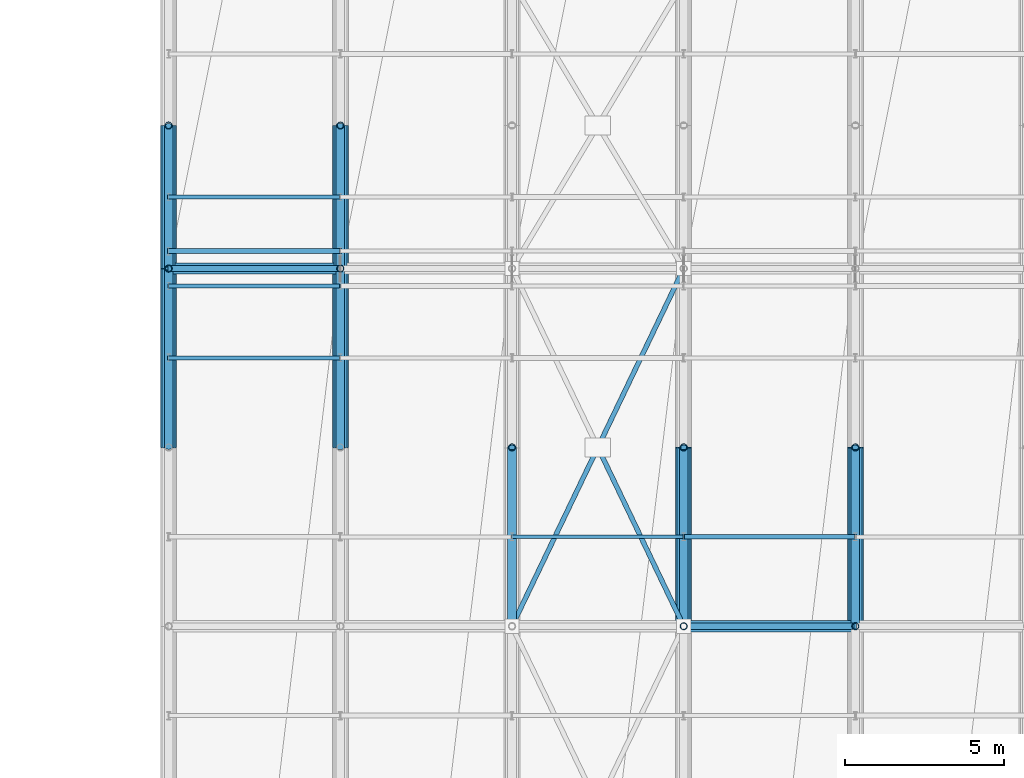
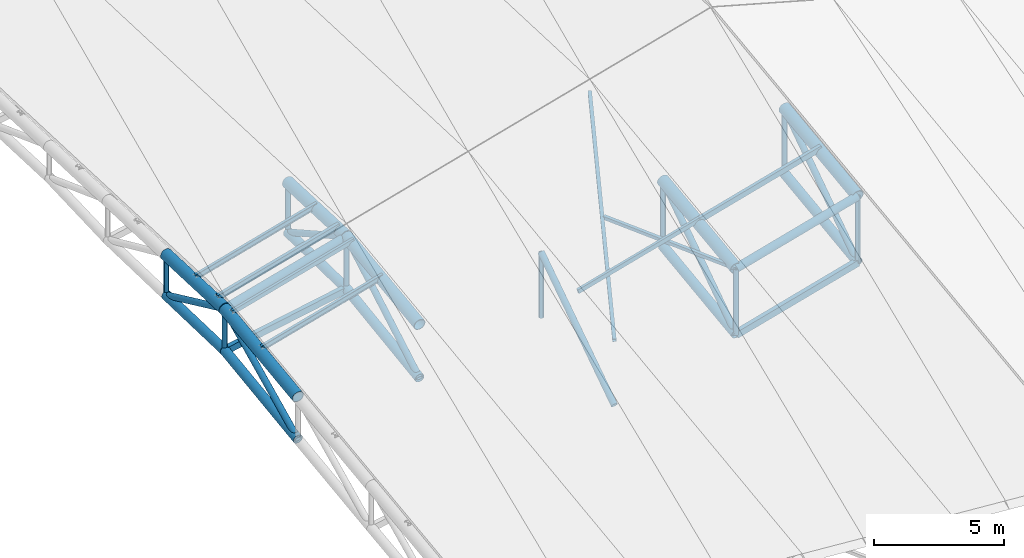
# One storey, part 12 of 109: 28 members, 12 beams.
"""IFC4 building model written with IfcOpenShell, lengths in metres."""

from ifc_helpers import new_model, si_unit, direction, frame, origin, origin_2d, place, context, subcontext, project, spatial, hollow_rectangle, hollow_circle, i_section, extrude, material, material_profile, profile_set, type_object, element, save


model = new_model("IFC4")

# Units and contexts
model_context = context("Model", 3, precision=1e-05, world=origin(), true_north=direction((0.0, 1.0)))
body_context = subcontext(model_context, "Body", "Model", "MODEL_VIEW")
ifc_project = project(units=[si_unit("LENGTHUNIT", "METRE"), si_unit("AREAUNIT", "SQUARE_METRE"), si_unit("VOLUMEUNIT", "CUBIC_METRE"), si_unit("PLANEANGLEUNIT", "RADIAN"), si_unit("MASSUNIT", "GRAM", prefix="KILO")], contexts=[model_context])

# Site, building, storey
site_placement = place(None, origin())
site = spatial("IfcSite", under=ifc_project, at=site_placement, CompositionType="ELEMENT")
building_placement = place(site_placement, origin())
building = spatial("IfcBuilding", under=site, at=building_placement, Name="Suirenkawa Promenade Aquatics Centre", CompositionType="ELEMENT")
storey_placement = place(building_placement, frame((0.0, 0.0, 22.800048828125)))
storey = spatial("IfcBuildingStorey", under=building, at=storey_placement, Name="ROOF", CompositionType="ELEMENT", Elevation=22.800048828125)

# Beams
ifc_material = material(Name="Steel IS 2062 E350 (Grade 350)", Category="steel")
ifc_material_profile_1 = material_profile(ifc_material, hollow_circle(Radius=0.202880859375, WallThickness=0.01806640625, at=origin_2d()), Name="CHS 406x18", Category="steel")
ifc_profile_set_1 = profile_set([ifc_material_profile_1], Name="Steel IS 2062 E350 (Grade 350)")
beam_type_1 = type_object("IfcBeamType", Name="BT-BC-CHS406", PredefinedType="BEAM", material=ifc_profile_set_1)
beam_1_placement = place(storey_placement, frame((46.800048828125, 89.77490234375, -11.9140625), z_axis=(0.0, 0.991040964108, 0.133558254929), x_axis=(-1.0, 0.0, 0.0)))
element("IfcBeam", 1, at=beam_1_placement, inside=storey, type_object=beam_type_1, Name="ROOF TRUSS V1 bottom chord BC-01 BM-1822", PredefinedType="BEAM", context=body_context, shape_type="SweptSolid", body=[
    extrude(hollow_circle(Radius=0.202880859375, WallThickness=0.01806640625, at=origin_2d()), origin(), (0.0, 0.0, 1.0), 5.67578125),
])
beam_2_placement = place(storey_placement, frame((46.800048828125, 95.39990234375, -11.156005859375), z_axis=(0.0, 0.999550238504, -0.029988676318), x_axis=(-1.0, 0.0, 0.0)))
element("IfcBeam", 2, at=beam_2_placement, inside=storey, type_object=beam_type_1, Name="ROOF TRUSS V1 bottom chord BC-01 BM-1824", PredefinedType="BEAM", context=body_context, shape_type="SweptSolid", body=[
    extrude(hollow_circle(Radius=0.202880859375, WallThickness=0.01806640625, at=origin_2d()), origin(), (0.0, 0.0, 1.0), 4.501953125),
])
beam_3_placement = place(storey_placement, frame((52.199951171875, 89.77490234375, -10.93408203125), z_axis=(0.0, 0.990209108988, 0.139591978559), x_axis=(-1.0, 0.0, 0.0)))
element("IfcBeam", 3, at=beam_3_placement, inside=storey, type_object=beam_type_1, Name="ROOF TRUSS V1 bottom chord BC-01 BM-1850", PredefinedType="BEAM", context=body_context, shape_type="SweptSolid", body=[
    extrude(hollow_circle(Radius=0.202880859375, WallThickness=0.01806640625, at=origin_2d()), origin(), (0.0, 0.0, 1.0), 5.6806640625),
])
beam_4_placement = place(storey_placement, frame((52.199951171875, 95.39990234375, -10.14111328125), z_axis=(0.0, 0.99981353231, -0.01931063463), x_axis=(-1.0, 0.0, 0.0)))
element("IfcBeam", 4, at=beam_4_placement, inside=storey, type_object=beam_type_1, Name="ROOF TRUSS V1 bottom chord BC-01 BM-1852", PredefinedType="BEAM", context=body_context, shape_type="SweptSolid", body=[
    extrude(hollow_circle(Radius=0.202880859375, WallThickness=0.01806640625, at=origin_2d()), origin(), (0.0, 0.0, 1.0), 4.500732421875),
])
for number, where, z_axis, x_axis, name in (
    (5, (63.0, 84.14990234375, -9.241943359375), (0.0, 0.991573992333, 0.129541567575), (-1.0, 0.0, 0.0), "ROOF TRUSS V1 bottom chord BC-01 BM-1904"),
    (6, (68.39990234375, 84.14990234375, -7.741943359375), (0.0, 0.991573992333, 0.129541567575), (-1.0, 0.0, 0.0), "ROOF TRUSS V1 bottom chord BC-01 BM-1932"),
):
    element("IfcBeam", number, at=place(storey_placement, frame(where, z_axis=z_axis, x_axis=x_axis)), inside=storey, type_object=beam_type_1, Name=name, PredefinedType="BEAM", context=body_context, shape_type="SweptSolid", body=[
        extrude(hollow_circle(Radius=0.202880859375, WallThickness=0.01806640625, at=origin_2d()), origin(), (0.0, 0.0, 1.0), 5.6728515625),
    ])
ifc_material_profile_2 = material_profile(ifc_material, hollow_circle(Radius=0.25390625, WallThickness=0.02392578125, at=origin_2d()), Name="CHS 508x24", Category="steel")
ifc_profile_set_2 = profile_set([ifc_material_profile_2], Name="Steel IS 2062 E350 (Grade 350)")
beam_type_2 = type_object("IfcBeamType", Name="BT-TC-CHS508", PredefinedType="BEAM", material=ifc_profile_set_2)
beam_5_placement = place(storey_placement, frame((46.800048828125, 89.77490234375, -9.925048828125), z_axis=(0.0, 0.991793720609, 0.127848409297), x_axis=(-1.0, 0.0, 0.0)))
element("IfcBeam", 7, at=beam_5_placement, inside=storey, type_object=beam_type_2, Name="ROOF TRUSS V1 top chord TC-02 BM-1821", PredefinedType="BEAM", context=body_context, shape_type="SweptSolid", body=[
    extrude(hollow_circle(Radius=0.25390625, WallThickness=0.02392578125, at=origin_2d()), origin(), (0.0, 0.0, 1.0), 5.671630859375),
])
beam_6_placement = place(storey_placement, frame((46.800048828125, 95.39990234375, -9.199951171875), z_axis=(0.0, 0.999173184279, -0.040656460949), x_axis=(-1.0, 0.0, 0.0)))
element("IfcBeam", 8, at=beam_6_placement, inside=storey, type_object=beam_type_2, Name="ROOF TRUSS V1 top chord TC-02 BM-1823", PredefinedType="BEAM", context=body_context, shape_type="SweptSolid", body=[
    extrude(hollow_circle(Radius=0.25390625, WallThickness=0.02392578125, at=origin_2d()), origin(), (0.0, 0.0, 1.0), 4.503662109375),
])
beam_7_placement = place(storey_placement, frame((52.199951171875, 89.77490234375, -8.425048828125), z_axis=(0.0, 0.991793720609, 0.127848409297), x_axis=(-1.0, 0.0, 0.0)))
element("IfcBeam", 9, at=beam_7_placement, inside=storey, type_object=beam_type_2, Name="ROOF TRUSS V1 top chord TC-02 BM-1849", PredefinedType="BEAM", context=body_context, shape_type="SweptSolid", body=[
    extrude(hollow_circle(Radius=0.25390625, WallThickness=0.02392578125, at=origin_2d()), origin(), (0.0, 0.0, 1.0), 5.671630859375),
])
beam_8_placement = place(storey_placement, frame((52.199951171875, 95.39990234375, -7.699951171875), z_axis=(0.0, 0.999173184279, -0.040656460949), x_axis=(-1.0, 0.0, 0.0)))
element("IfcBeam", 10, at=beam_8_placement, inside=storey, type_object=beam_type_2, Name="ROOF TRUSS V1 top chord TC-02 BM-1851", PredefinedType="BEAM", context=body_context, shape_type="SweptSolid", body=[
    extrude(hollow_circle(Radius=0.25390625, WallThickness=0.02392578125, at=origin_2d()), origin(), (0.0, 0.0, 1.0), 4.503662109375),
])
for number, where, z_axis, x_axis, name in (
    (11, (63.0, 84.14990234375, -6.150146484375), (0.0, 0.991793720609, 0.127848409297), (-1.0, 0.0, 0.0), "ROOF TRUSS V1 top chord TC-02 BM-1903"),
    (12, (68.39990234375, 84.14990234375, -4.650146484375), (0.0, 0.991793720609, 0.127848409297), (-1.0, 0.0, 0.0), "ROOF TRUSS V1 top chord TC-02 BM-1931"),
):
    element("IfcBeam", number, at=place(storey_placement, frame(where, z_axis=z_axis, x_axis=x_axis)), inside=storey, type_object=beam_type_2, Name=name, PredefinedType="BEAM", context=body_context, shape_type="SweptSolid", body=[
        extrude(hollow_circle(Radius=0.25390625, WallThickness=0.02392578125, at=origin_2d()), origin(), (0.0, 0.0, 1.0), 5.671630859375),
    ])

# Members
ifc_material_profile_3 = material_profile(ifc_material, hollow_rectangle(XDim=0.14990234375, YDim=0.14990234375, WallThickness=0.008056640625, at=origin_2d()), Name="SHS 150x150x8", Category="steel")
ifc_profile_set_3 = profile_set([ifc_material_profile_3], Name="Steel IS 2062 E350 (Grade 350)")
member_type_1 = type_object("IfcMemberType", Name="MT-BRACE-SHS150", PredefinedType="BRACE", material=ifc_profile_set_3)
member_1_placement = place(storey_placement, frame((57.60009765625, 84.14990234375, -7.650146484375), z_axis=(0.421116105711, 0.877341086497, 0.230073560964), x_axis=(-0.901526110403, 0.432724707246, 0.0)))
element("IfcMember", 13, at=member_1_placement, inside=storey, type_object=member_type_1, Name="ROOF TRUSS V1 continuous plan brace BF-02 MB-0932", PredefinedType="BRACE", context=body_context, shape_type="SweptSolid", body=[
    extrude(hollow_rectangle(XDim=0.14990234375, YDim=0.14990234375, WallThickness=0.008056640625, at=origin_2d()), origin(), (0.0, 0.0, 1.0), 12.82275390625),
])
member_2_placement = place(storey_placement, frame((63.0, 84.14990234375, -6.150146484375), z_axis=(-0.432727524929, 0.901515676935, -0.004046406999), x_axis=(-0.901523057468, -0.432731067585, 0.0)))
element("IfcMember", 14, at=member_2_placement, inside=storey, type_object=member_type_1, Name="ROOF TRUSS V1 split plan brace A BF-02 MB-0933", PredefinedType="BRACE", context=body_context, shape_type="SweptSolid", body=[
    extrude(hollow_rectangle(XDim=0.14990234375, YDim=0.14990234375, WallThickness=0.008056640625, at=origin_2d()), origin(), (0.0, 0.0, 1.0), 6.154296875),
])
ifc_material_profile_4 = material_profile(ifc_material, hollow_circle(Radius=0.177978515625, WallThickness=0.01611328125, at=origin_2d()), Name="CHS 356x16", Category="steel")
ifc_profile_set_4 = profile_set([ifc_material_profile_4], Name="Steel IS 2062 E350 (Grade 350)")
member_type_2 = type_object("IfcMemberType", Name="MT-CHORD-CHS356", PredefinedType="CHORD", material=ifc_profile_set_4)
for number, where, z_axis, x_axis, name in (
    (15, (63.0, 84.14990234375, -6.150146484375), (0.963516661409, 0.0, 0.267648357342), (0.0, 1.0, 0.0), "ROOF TRUSS V1 tie chord CH-02 MB-0774"),
    (16, (46.800048828125, 95.39990234375, -9.199951171875), (0.963516661409, 0.0, 0.267648357342), (0.0, 1.0, 0.0), "ROOF TRUSS V1 tie chord CH-02 MB-0808"),
):
    element("IfcMember", number, at=place(storey_placement, frame(where, z_axis=z_axis, x_axis=x_axis)), inside=storey, type_object=member_type_2, Name=name, PredefinedType="CHORD", context=body_context, shape_type="SweptSolid", body=[
        extrude(hollow_circle(Radius=0.177978515625, WallThickness=0.01611328125, at=origin_2d()), origin(), (0.0, 0.0, 1.0), 5.604248046875),
    ])
ifc_material_profile_5 = material_profile(ifc_material, hollow_rectangle(XDim=0.199951171875, YDim=0.300048828125, WallThickness=0.011962890625, at=origin_2d()), Name="RHS 300x200x12", Category="steel")
ifc_profile_set_5 = profile_set([ifc_material_profile_5], Name="Steel IS 2062 E350 (Grade 350)")
member_type_3 = type_object("IfcMemberType", Name="MT-CHORD-RHS300", PredefinedType="CHORD", material=ifc_profile_set_5)
member_3_placement = place(storey_placement, frame((63.0, 84.14990234375, -9.241943359375), z_axis=(0.963516661409, 0.0, 0.267648357342), x_axis=(0.0, 1.0, 0.0)))
element("IfcMember", 17, at=member_3_placement, inside=storey, type_object=member_type_3, Name="ROOF TRUSS V1 bottom tie CH-03 MB-0775", PredefinedType="CHORD", context=body_context, shape_type="SweptSolid", body=[
    extrude(hollow_rectangle(XDim=0.199951171875, YDim=0.300048828125, WallThickness=0.011962890625, at=origin_2d()), origin(), (0.0, 0.0, 1.0), 5.604248046875),
])
member_4_placement = place(storey_placement, frame((46.800048828125, 95.39990234375, -11.156005859375), z_axis=(0.982792617243, 0.0, 0.18471240211), x_axis=(0.0, 1.0, 0.0)))
element("IfcMember", 18, at=member_4_placement, inside=storey, type_object=member_type_3, Name="ROOF TRUSS V1 bottom tie CH-03 MB-0809", PredefinedType="CHORD", context=body_context, shape_type="SweptSolid", body=[
    extrude(hollow_rectangle(XDim=0.199951171875, YDim=0.300048828125, WallThickness=0.011962890625, at=origin_2d()), origin(), (0.0, 0.0, 1.0), 5.494384765625),
])
ifc_material_profile_6 = material_profile(ifc_material, i_section(OverallWidth=0.125, OverallDepth=0.25, WebThickness=0.007080078125, FlangeThickness=0.012939453125, at=origin_2d()), Name="ISMB 250", Category="steel")
ifc_profile_set_6 = profile_set([ifc_material_profile_6], Name="Steel IS 2062 E350 (Grade 350)")
member_type_4 = type_object("IfcMemberType", Name="MT-PURLIN-ISMB250", PredefinedType="PURLIN", material=ifc_profile_set_6)
for number, where, z_axis, x_axis, name in (
    (19, (46.800048828125, 92.587890625, -9.341064453125), (0.963516661409, 0.0, 0.267648357342), (0.0, 1.0, 0.0), "ROOF TRUSS Roof purlin PU-04 MB-1693"),
    (20, (46.800048828125, 97.64990234375, -9.06298828125), (0.963516661409, 0.0, 0.267648357342), (0.0, 1.0, 0.0), "ROOF TRUSS Roof purlin PU-04 MB-1702"),
):
    element("IfcMember", number, at=place(storey_placement, frame(where, z_axis=z_axis, x_axis=x_axis)), inside=storey, type_object=member_type_4, Name=name, PredefinedType="PURLIN", context=body_context, shape_type="SweptSolid", body=[
        extrude(i_section(OverallWidth=0.125, OverallDepth=0.25, WebThickness=0.007080078125, FlangeThickness=0.012939453125, at=origin_2d()), origin(), (0.0, 0.0, 1.0), 5.604248046875),
    ])
ifc_material_profile_7 = material_profile(ifc_material, hollow_rectangle(XDim=0.1201171875, YDim=0.199951171875, WallThickness=0.008056640625, at=origin_2d()), Name="RHS 200x120x8", Category="steel")
ifc_profile_set_7 = profile_set([ifc_material_profile_7], Name="Steel IS 2062 E350 (Grade 350)")
member_type_5 = type_object("IfcMemberType", Name="MT-PURLIN-RHS200", PredefinedType="PURLIN", material=ifc_profile_set_7)
for number, where, z_axis, x_axis, name in (
    (21, (46.800048828125, 94.85009765625, -9.025146484375), (0.963516661409, 0.0, 0.267648357342), (0.0, 1.0, 0.0), "ROOF TRUSS Roof purlin PU-02 MB-1696"),
    (22, (57.60009765625, 86.962890625, -7.041015625), (0.963516661409, 0.0, 0.267648357342), (0.0, 1.0, 0.0), "ROOF TRUSS Roof purlin PU-02 MB-1773"),
):
    element("IfcMember", number, at=place(storey_placement, frame(where, z_axis=z_axis, x_axis=x_axis)), inside=storey, type_object=member_type_5, Name=name, PredefinedType="PURLIN", context=body_context, shape_type="SweptSolid", body=[
        extrude(hollow_rectangle(XDim=0.1201171875, YDim=0.199951171875, WallThickness=0.008056640625, at=origin_2d()), origin(), (0.0, 0.0, 1.0), 5.604248046875),
    ])
ifc_material_profile_8 = material_profile(ifc_material, hollow_rectangle(XDim=0.14990234375, YDim=0.25, WallThickness=0.010009765625, at=origin_2d()), Name="RHS 250x150x10", Category="steel")
ifc_profile_set_8 = profile_set([ifc_material_profile_8], Name="Steel IS 2062 E350 (Grade 350)")
member_type_6 = type_object("IfcMemberType", Name="MT-PURLIN-RHS250", PredefinedType="PURLIN", material=ifc_profile_set_8)
for number, where, z_axis, x_axis, name in (
    (23, (46.800048828125, 95.949951171875, -8.9951171875), (0.963516661409, 0.0, 0.267648357342), (0.0, 1.0, 0.0), "ROOF TRUSS Roof purlin PU-03 MB-1699"),
    (24, (63.0, 86.962890625, -5.568115234375), (0.963516661409, 0.0, 0.267648357342), (0.0, 1.0, 0.0), "ROOF TRUSS Roof purlin PU-03 MB-1809"),
):
    element("IfcMember", number, at=place(storey_placement, frame(where, z_axis=z_axis, x_axis=x_axis)), inside=storey, type_object=member_type_6, Name=name, PredefinedType="PURLIN", context=body_context, shape_type="SweptSolid", body=[
        extrude(hollow_rectangle(XDim=0.14990234375, YDim=0.25, WallThickness=0.010009765625, at=origin_2d()), origin(), (0.0, 0.0, 1.0), 5.604248046875),
    ])
ifc_material_profile_9 = material_profile(ifc_material, hollow_circle(Radius=0.110107421875, WallThickness=0.010009765625, at=origin_2d()), Name="CHS 220x10", Category="steel")
ifc_profile_set_9 = profile_set([ifc_material_profile_9], Name="Steel IS 2062 E350 (Grade 350)")
member_type_7 = type_object("IfcMemberType", Name="MT-WEB-CHS220", PredefinedType="BRACE", material=ifc_profile_set_9)
member_5_placement = place(storey_placement, frame((46.800048828125, 95.39990234375, -11.156005859375), z_axis=(0.0, 0.0, 1.0), x_axis=(1.0, 0.0, 0.0)))
element("IfcMember", 25, at=member_5_placement, inside=storey, type_object=member_type_7, Name="ROOF TRUSS V1 web post TD-01 MB-0022", PredefinedType="BRACE", context=body_context, shape_type="SweptSolid", body=[
    extrude(hollow_circle(Radius=0.110107421875, WallThickness=0.010009765625, at=origin_2d()), origin(), (0.0, 0.0, 1.0), 1.9560546875),
])
member_6_placement = place(storey_placement, frame((46.800048828125, 99.89990234375, -11.291015625), z_axis=(0.0, 0.0, 1.0), x_axis=(1.0, 0.0, 0.0)))
element("IfcMember", 26, at=member_6_placement, inside=storey, type_object=member_type_7, Name="ROOF TRUSS V1 web post TD-01 MB-0023", PredefinedType="BRACE", context=body_context, shape_type="SweptSolid", body=[
    extrude(hollow_circle(Radius=0.110107421875, WallThickness=0.010009765625, at=origin_2d()), origin(), (0.0, 0.0, 1.0), 1.907958984375),
])
member_7_placement = place(storey_placement, frame((52.199951171875, 95.39990234375, -10.14111328125), z_axis=(0.0, 0.0, 1.0), x_axis=(1.0, 0.0, 0.0)))
element("IfcMember", 27, at=member_7_placement, inside=storey, type_object=member_type_7, Name="ROOF TRUSS V1 web post TD-01 MB-0049", PredefinedType="BRACE", context=body_context, shape_type="SweptSolid", body=[
    extrude(hollow_circle(Radius=0.110107421875, WallThickness=0.010009765625, at=origin_2d()), origin(), (0.0, 0.0, 1.0), 2.441162109375),
])
member_8_placement = place(storey_placement, frame((52.199951171875, 99.89990234375, -10.22802734375), z_axis=(0.0, 0.0, 1.0), x_axis=(1.0, 0.0, 0.0)))
element("IfcMember", 28, at=member_8_placement, inside=storey, type_object=member_type_7, Name="ROOF TRUSS V1 web post TD-01 MB-0050", PredefinedType="BRACE", context=body_context, shape_type="SweptSolid", body=[
    extrude(hollow_circle(Radius=0.110107421875, WallThickness=0.010009765625, at=origin_2d()), origin(), (0.0, 0.0, 1.0), 2.344970703125),
])
member_9_placement = place(storey_placement, frame((57.60009765625, 89.77490234375, -9.953125), z_axis=(0.0, 0.0, 1.0), x_axis=(1.0, 0.0, 0.0)))
element("IfcMember", 29, at=member_9_placement, inside=storey, type_object=member_type_7, Name="ROOF TRUSS V1 web post TD-01 MB-0075", PredefinedType="BRACE", context=body_context, shape_type="SweptSolid", body=[
    extrude(hollow_circle(Radius=0.110107421875, WallThickness=0.010009765625, at=origin_2d()), origin(), (0.0, 0.0, 1.0), 3.028076171875),
])
member_10_placement = place(storey_placement, frame((63.0, 84.14990234375, -9.241943359375), z_axis=(0.0, 0.0, 1.0), x_axis=(1.0, 0.0, 0.0)))
element("IfcMember", 30, at=member_10_placement, inside=storey, type_object=member_type_7, Name="ROOF TRUSS V1 web post TD-01 MB-0101", PredefinedType="BRACE", context=body_context, shape_type="SweptSolid", body=[
    extrude(hollow_circle(Radius=0.110107421875, WallThickness=0.010009765625, at=origin_2d()), origin(), (0.0, 0.0, 1.0), 3.091796875),
])
member_11_placement = place(storey_placement, frame((63.0, 89.77490234375, -8.507080078125), z_axis=(0.0, 0.0, 1.0), x_axis=(1.0, 0.0, 0.0)))
element("IfcMember", 31, at=member_11_placement, inside=storey, type_object=member_type_7, Name="ROOF TRUSS V1 web post TD-01 MB-0102", PredefinedType="BRACE", context=body_context, shape_type="SweptSolid", body=[
    extrude(hollow_circle(Radius=0.110107421875, WallThickness=0.010009765625, at=origin_2d()), origin(), (0.0, 0.0, 1.0), 3.08203125),
])
member_12_placement = place(storey_placement, frame((68.39990234375, 84.14990234375, -7.741943359375), z_axis=(0.0, 0.0, 1.0), x_axis=(1.0, 0.0, 0.0)))
element("IfcMember", 32, at=member_12_placement, inside=storey, type_object=member_type_7, Name="ROOF TRUSS V1 web post TD-01 MB-0128", PredefinedType="BRACE", context=body_context, shape_type="SweptSolid", body=[
    extrude(hollow_circle(Radius=0.110107421875, WallThickness=0.010009765625, at=origin_2d()), origin(), (0.0, 0.0, 1.0), 3.091796875),
])
member_13_placement = place(storey_placement, frame((68.39990234375, 89.77490234375, -7.007080078125), z_axis=(0.0, 0.0, 1.0), x_axis=(1.0, 0.0, 0.0)))
element("IfcMember", 33, at=member_13_placement, inside=storey, type_object=member_type_7, Name="ROOF TRUSS V1 web post TD-01 MB-0129", PredefinedType="BRACE", context=body_context, shape_type="SweptSolid", body=[
    extrude(hollow_circle(Radius=0.110107421875, WallThickness=0.010009765625, at=origin_2d()), origin(), (0.0, 0.0, 1.0), 3.08203125),
])
ifc_material_profile_10 = material_profile(ifc_material, hollow_circle(Radius=0.136962890625, WallThickness=0.011962890625, at=origin_2d()), Name="CHS 274x12", Category="steel")
ifc_profile_set_10 = profile_set([ifc_material_profile_10], Name="Steel IS 2062 E350 (Grade 350)")
member_type_8 = type_object("IfcMemberType", Name="MT-WEB-CHS274", PredefinedType="BRACE", material=ifc_profile_set_10)
member_14_placement = place(storey_placement, frame((46.800048828125, 89.77490234375, -11.9140625), z_axis=(0.0, 0.900639750015, 0.434566497436), x_axis=(-1.0, 0.0, 0.0)))
element("IfcMember", 34, at=member_14_placement, inside=storey, type_object=member_type_8, Name="ROOF TRUSS V1 web diagonal TD-02 MB-0008", PredefinedType="BRACE", context=body_context, shape_type="SweptSolid", body=[
    extrude(hollow_circle(Radius=0.136962890625, WallThickness=0.011962890625, at=origin_2d()), origin(), (0.0, 0.0, 1.0), 6.24560546875),
])
member_15_placement = place(storey_placement, frame((46.800048828125, 95.39990234375, -9.199951171875), z_axis=(0.0, 0.906872003825, -0.421406180163), x_axis=(-1.0, 0.0, 0.0)))
element("IfcMember", 35, at=member_15_placement, inside=storey, type_object=member_type_8, Name="ROOF TRUSS V1 web diagonal TD-02 MB-0009", PredefinedType="BRACE", context=body_context, shape_type="SweptSolid", body=[
    extrude(hollow_circle(Radius=0.136962890625, WallThickness=0.011962890625, at=origin_2d()), origin(), (0.0, 0.0, 1.0), 4.962158203125),
])
member_16_placement = place(storey_placement, frame((52.199951171875, 89.77490234375, -10.93408203125), z_axis=(0.0, 0.866922562202, 0.498442846419), x_axis=(-1.0, 0.0, 0.0)))
element("IfcMember", 36, at=member_16_placement, inside=storey, type_object=member_type_8, Name="ROOF TRUSS V1 web diagonal TD-02 MB-0035", PredefinedType="BRACE", context=body_context, shape_type="SweptSolid", body=[
    extrude(hollow_circle(Radius=0.136962890625, WallThickness=0.011962890625, at=origin_2d()), origin(), (0.0, 0.0, 1.0), 6.488525390625),
])
member_17_placement = place(storey_placement, frame((52.199951171875, 95.39990234375, -7.699951171875), z_axis=(0.0, 0.871838159917, -0.489794061737), x_axis=(-1.0, 0.0, 0.0)))
element("IfcMember", 37, at=member_17_placement, inside=storey, type_object=member_type_8, Name="ROOF TRUSS V1 web diagonal TD-02 MB-0036", PredefinedType="BRACE", context=body_context, shape_type="SweptSolid", body=[
    extrude(hollow_circle(Radius=0.136962890625, WallThickness=0.011962890625, at=origin_2d()), origin(), (0.0, 0.0, 1.0), 5.16162109375),
])
member_18_placement = place(storey_placement, frame((57.60009765625, 84.14990234375, -10.68701171875), z_axis=(0.0, 0.831233479962, 0.555923467566), x_axis=(-1.0, 0.0, 0.0)))
element("IfcMember", 38, at=member_18_placement, inside=storey, type_object=member_type_8, Name="ROOF TRUSS V1 web diagonal TD-02 MB-0061", PredefinedType="BRACE", context=body_context, shape_type="SweptSolid", body=[
    extrude(hollow_circle(Radius=0.136962890625, WallThickness=0.011962890625, at=origin_2d()), origin(), (0.0, 0.0, 1.0), 6.76708984375),
])
for number, where, z_axis, x_axis, name in (
    (39, (63.0, 84.14990234375, -9.241943359375), (0.0, 0.827480542111, 0.56149439216), (-1.0, 0.0, 0.0), "ROOF TRUSS V1 web diagonal TD-02 MB-0088"),
    (40, (68.39990234375, 84.14990234375, -7.741943359375), (0.0, 0.827480542111, 0.56149439216), (-1.0, 0.0, 0.0), "ROOF TRUSS V1 web diagonal TD-02 MB-0115"),
):
    element("IfcMember", number, at=place(storey_placement, frame(where, z_axis=z_axis, x_axis=x_axis)), inside=storey, type_object=member_type_8, Name=name, PredefinedType="BRACE", context=body_context, shape_type="SweptSolid", body=[
        extrude(hollow_circle(Radius=0.136962890625, WallThickness=0.011962890625, at=origin_2d()), origin(), (0.0, 0.0, 1.0), 6.7978515625),
    ])

save(model, "model.ifc")
